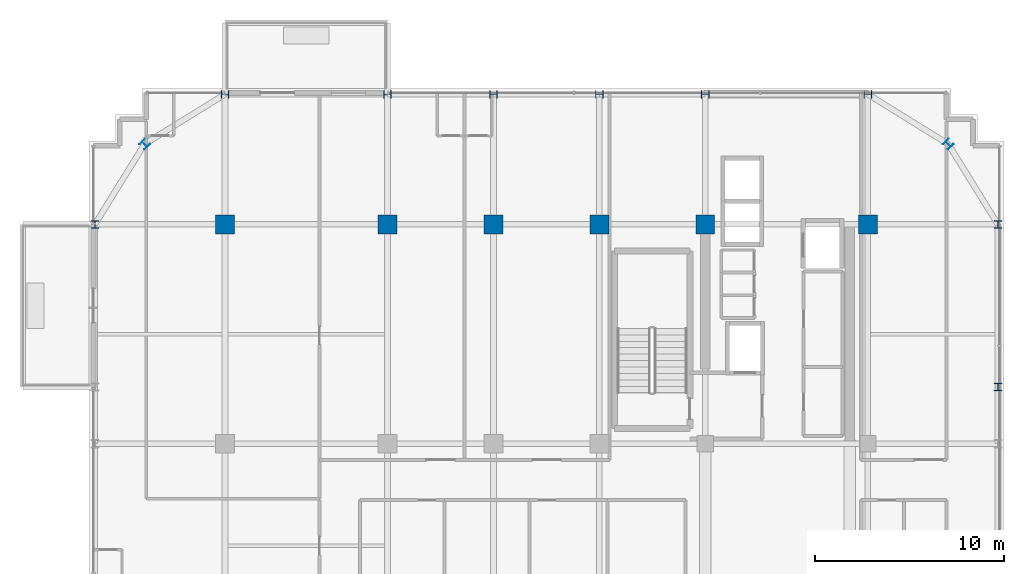
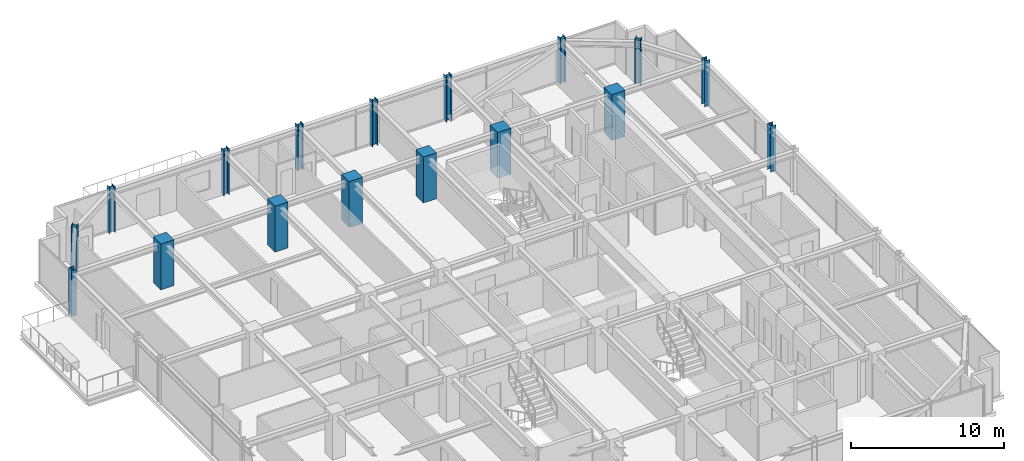
# One storey, part 3 of 36: 17 columns.
"""IFC4 building model written with IfcOpenShell, lengths in metres."""

from ifc_helpers import new_model, si_unit, direction, frame, origin, origin_2d, place, context, subcontext, project, spatial, rectangle, i_section, extrude, source, transform, mapped, material, material_profile, profile_set, type_object, element, save


model = new_model("IFC4")

# Units and contexts
model_context = context("Model", 3, precision=1e-05, world=origin(), true_north=direction((0.0, 1.0)))
body_context = subcontext(model_context, "Body", "Model", "MODEL_VIEW")
ifc_project = project(units=[si_unit("LENGTHUNIT", "METRE"), si_unit("AREAUNIT", "SQUARE_METRE"), si_unit("VOLUMEUNIT", "CUBIC_METRE"), si_unit("PLANEANGLEUNIT", "RADIAN"), si_unit("MASSUNIT", "GRAM", prefix="KILO")], contexts=[model_context])

# Site, building, storey
site_placement = place(None, origin())
site = spatial("IfcSite", under=ifc_project, at=site_placement, CompositionType="ELEMENT")
building_placement = place(site_placement, origin())
building = spatial("IfcBuilding", under=site, at=building_placement, Name="Nahalor Promenade Grand Hotel", CompositionType="ELEMENT")
storey_placement = place(building_placement, frame((0.0, 0.0, 212.300048828125)))
storey = spatial("IfcBuildingStorey", under=building, at=storey_placement, Name="L54", CompositionType="ELEMENT", Elevation=212.300048828125)

# Columns
ifc_material_1 = material(Name="Concrete B-60 (C50/60)", Category="concrete")
ifc_material_profile_1 = material_profile(ifc_material_1, rectangle(XDim=1.0, YDim=1.0, at=origin_2d()), Name="RC 1000x1000")
ifc_profile_set_1 = profile_set([ifc_material_profile_1], Name="Concrete B-60 (C50/60)")
column_type_1 = type_object("IfcColumnType", Name="Col-RC-1000", PredefinedType="COLUMN", material=ifc_profile_set_1)
shared_shape_1 = source(origin(), body_context, "Body", "SweptSolid", [
    extrude(rectangle(XDim=1.0, YDim=1.0, at=origin_2d()), origin(), (0.0, 0.0, 1.0), 3.655029296875),
])
for number, where, z_axis, x_axis, name in (
    (1, (-17.0, 17.0, 0.0), (0.0, 0.0, 1.0), (1.0, 0.0, 0.0), "COL-L54-I03"),
    (2, (-8.39990234375, 17.0, 0.0), (0.0, 0.0, 1.0), (1.0, 0.0, 0.0), "COL-L54-I13"),
    (3, (-2.800048828125, 17.0, 0.0), (0.0, 0.0, 1.0), (1.0, 0.0, 0.0), "COL-L54-I23"),
    (4, (2.800048828125, 17.0, 0.0), (0.0, 0.0, 1.0), (1.0, 0.0, 0.0), "COL-L54-I33"),
    (5, (8.39990234375, 17.0, 0.0), (0.0, 0.0, 1.0), (1.0, 0.0, 0.0), "COL-L54-I43"),
    (6, (17.0, 17.0, 0.0), (0.0, 0.0, 1.0), (1.0, 0.0, 0.0), "COL-L54-I53"),
):
    element("IfcColumn", number, at=place(storey_placement, frame(where, z_axis=z_axis, x_axis=x_axis)), inside=storey, type_object=column_type_1, Name=name, PredefinedType="COLUMN", context=body_context, shape_type="MappedRepresentation", body=[
        mapped(shared_shape_1, transform((0.0, 0.0, 0.0), scale=1.0)),
    ])
ifc_material_2 = material(Name="Steel S355JR", Category="steel")
ifc_material_profile_2 = material_profile(ifc_material_2, i_section(OverallWidth=0.401, OverallDepth=0.406, WebThickness=0.0161, FlangeThickness=0.025, at=origin_2d()), Name="HD 400x314")
ifc_profile_set_2 = profile_set([ifc_material_profile_2], Name="Steel S355JR")
column_type_2 = type_object("IfcColumnType", Name="Col-Steel-HD314", PredefinedType="COLUMN", material=ifc_profile_set_2)
shared_shape_2 = source(origin(), body_context, "Body", "SweptSolid", [
    extrude(i_section(OverallWidth=0.401, OverallDepth=0.406, WebThickness=0.0161, FlangeThickness=0.025, at=origin_2d()), origin(), (0.0, 0.0, 1.0), 3.655029296875),
])
for number, where, z_axis, x_axis, name in (
    (7, (23.8798828125, 8.39990234375, 0.0), (0.0, 0.0, 1.0), (1.0, 0.0, 0.0), "COL-L54-PW-E4"),
    (8, (-23.8798828125, 17.0, 0.0), (0.0, 0.0, 1.0), (1.0, 0.0, 0.0), "COL-L54-PW-W5"),
    (9, (23.8798828125, 17.0, 0.0), (0.0, 0.0, 1.0), (1.0, 0.0, 0.0), "COL-L54-PW-E5"),
    (10, (-17.0, 23.8798828125, 0.0), (0.0, 0.0, 1.0), (0.0, 1.0, 0.0), "COL-L54-PN-N0"),
    (11, (-8.39990234375, 23.8798828125, 0.0), (0.0, 0.0, 1.0), (0.0, 1.0, 0.0), "COL-L54-PN-N1"),
    (12, (-2.800048828125, 23.8798828125, 0.0), (0.0, 0.0, 1.0), (0.0, 1.0, 0.0), "COL-L54-PN-N2"),
    (13, (2.800048828125, 23.8798828125, 0.0), (0.0, 0.0, 1.0), (0.0, 1.0, 0.0), "COL-L54-PN-N3"),
    (14, (8.39990234375, 23.8798828125, 0.0), (0.0, 0.0, 1.0), (0.0, 1.0, 0.0), "COL-L54-PN-N4"),
    (15, (17.0, 23.8798828125, 0.0), (0.0, 0.0, 1.0), (0.0, 1.0, 0.0), "COL-L54-PN-N5"),
    (16, (-21.25, 21.25, 0.0), (0.0, 0.0, 1.0), (0.707106781187, 0.707106781187, 0.0), "COL-L54-CRN-NW"),
    (17, (21.25, 21.25, 0.0), (0.0, 0.0, 1.0), (0.707106781187, 0.707106781187, 0.0), "COL-L54-CRN-NE"),
):
    element("IfcColumn", number, at=place(storey_placement, frame(where, z_axis=z_axis, x_axis=x_axis)), inside=storey, type_object=column_type_2, Name=name, PredefinedType="COLUMN", context=body_context, shape_type="MappedRepresentation", body=[
        mapped(shared_shape_2, transform((0.0, 0.0, 0.0), scale=1.0)),
    ])

save(model, "model.ifc")
